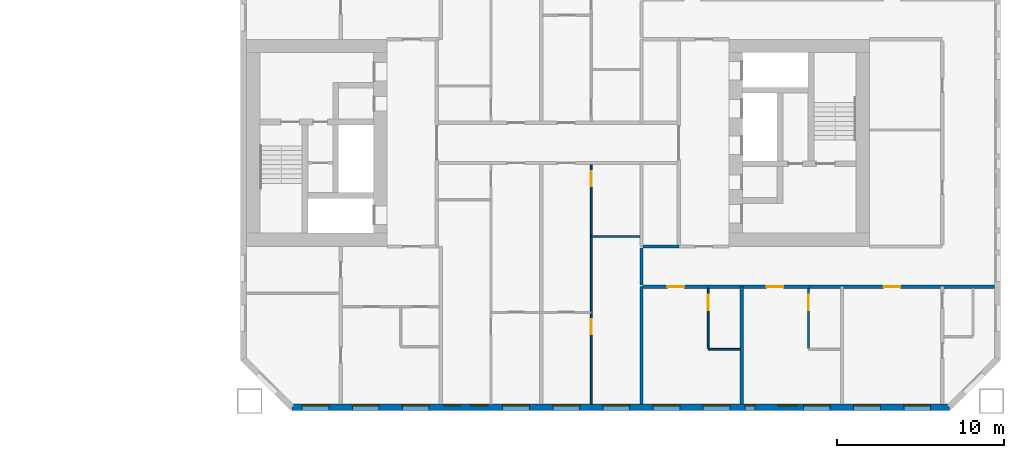
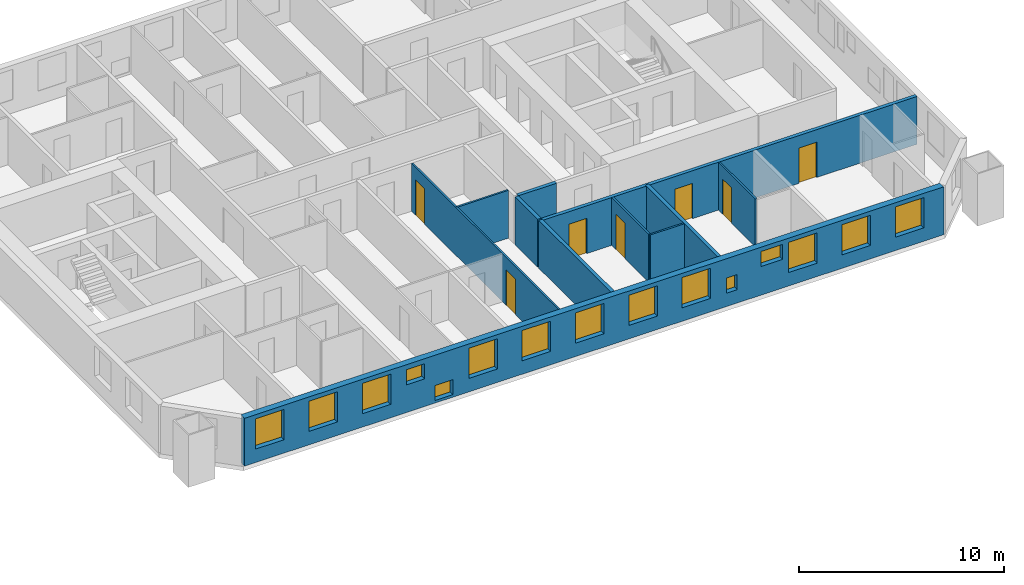
# One storey, part 11 of 17: 15 windows, 11 walls, 7 doors, 22 openings.
"""IFC4 building model written with IfcOpenShell, lengths in metres."""

from ifc_helpers import new_model, si_unit, direction, frame, frame_2d, origin, place, context, subcontext, project, spatial, rectangle, extrude, material, layer, layer_set, type_object, element, fill, save


model = new_model("IFC4")

# Units and contexts
model_context = context("Model", 3, precision=1e-05, world=origin(), true_north=direction((0.0, 1.0)))
body_context = subcontext(model_context, "Body", "Model", "MODEL_VIEW")
ifc_project = project(units=[si_unit("LENGTHUNIT", "METRE"), si_unit("AREAUNIT", "SQUARE_METRE"), si_unit("VOLUMEUNIT", "CUBIC_METRE"), si_unit("PLANEANGLEUNIT", "RADIAN"), si_unit("MASSUNIT", "GRAM", prefix="KILO")], contexts=[model_context])

# Site, building, storey
site_placement = place(None, origin())
site = spatial("IfcSite", under=ifc_project, at=site_placement, CompositionType="ELEMENT")
building_placement = place(site_placement, origin())
building = spatial("IfcBuilding", under=site, at=building_placement, Name="Tuart Gate Housing", CompositionType="ELEMENT")
storey_placement = place(building_placement, frame((0.0, 0.0, 53.60009765625)))
storey = spatial("IfcBuildingStorey", under=building, at=storey_placement, Name="L14", CompositionType="ELEMENT", Elevation=53.60009765625)

# Wall, openings, windows
ifc_material_1 = material(Name="Brick", Category="masonry")
ifc_layer_1 = layer(ifc_material_1, 0.360107421875)
ifc_layer_set_1 = layer_set([ifc_layer_1], Name="Brick pier and spandrel wall 360")
wall_type_1 = type_object("IfcWallType", Name="Brick pier and spandrel wall 360", PredefinedType="STANDARD", material=ifc_layer_set_1)
wall_1_placement = place(storey_placement, frame((134.07470703125, 54.179931640625, 0.0), z_axis=(0.0, 0.0, 1.0), x_axis=(1.0, 0.0, 0.0)))
wall_1 = element("IfcWall", 1, at=wall_1_placement, inside=storey, type_object=wall_type_1, Name="External wall B-S L14", PredefinedType="STANDARD", context=body_context, shape_type="SweptSolid", body=[
    extrude(rectangle(XDim=39.350830078125, YDim=0.360107421875, at=frame_2d((19.67529296875, 0.0))), origin(), (0.0, 0.0, 1.0), 2.849853515625),
])
opening_1_placement = place(wall_1_placement, frame((0.62548828125, 0.0, 0.800048828125)))
opening_1 = element("IfcOpeningElement", 2, at=opening_1_placement, cuts=wall_1, Name="Opening W1", PredefinedType="OPENING", context=body_context, shape_type="SweptSolid", body=[
    extrude(rectangle(XDim=1.60009765625, YDim=1.800048828125, at=frame_2d((0.800048828125, 0.89990234375))), frame((0.0, 0.18994140625, 0.0), z_axis=(0.0, -1.0, 0.0), x_axis=(1.0, 0.0, 0.0)), (0.0, 0.0, 1.0), 0.380126953125),
])
opening_2_placement = place(wall_1_placement, frame((3.62548828125, 0.0, 0.800048828125)))
opening_2 = element("IfcOpeningElement", 3, at=opening_2_placement, cuts=wall_1, Name="Opening W1", PredefinedType="OPENING", context=body_context, shape_type="SweptSolid", body=[
    extrude(rectangle(XDim=1.60009765625, YDim=1.800048828125, at=frame_2d((0.800048828125, 0.89990234375))), frame((0.0, 0.18994140625, 0.0), z_axis=(0.0, -1.0, 0.0), x_axis=(1.0, 0.0, 0.0)), (0.0, 0.0, 1.0), 0.380126953125),
])
opening_3_placement = place(wall_1_placement, frame((6.62548828125, 0.0, 0.800048828125)))
opening_3 = element("IfcOpeningElement", 4, at=opening_3_placement, cuts=wall_1, Name="Opening W1", PredefinedType="OPENING", context=body_context, shape_type="SweptSolid", body=[
    extrude(rectangle(XDim=1.60009765625, YDim=1.800048828125, at=frame_2d((0.800048828125, 0.89990234375))), frame((0.0, 0.18994140625, 0.0), z_axis=(0.0, -1.0, 0.0), x_axis=(1.0, 0.0, 0.0)), (0.0, 0.0, 1.0), 0.380126953125),
])
opening_4_placement = place(wall_1_placement, frame((9.12548828125, 0.0, 1.64990234375)))
opening_4 = element("IfcOpeningElement", 5, at=opening_4_placement, cuts=wall_1, Name="Opening W1U", PredefinedType="OPENING", context=body_context, shape_type="SweptSolid", body=[
    extrude(rectangle(XDim=1.0, YDim=0.89990234375, at=frame_2d((0.5, 0.449951171875))), frame((0.0, 0.18994140625, 0.0), z_axis=(0.0, -1.0, 0.0), x_axis=(1.0, 0.0, 0.0)), (0.0, 0.0, 1.0), 0.380126953125),
])
opening_5_placement = place(wall_1_placement, frame((12.62548828125, 0.0, 0.800048828125)))
opening_5 = element("IfcOpeningElement", 6, at=opening_5_placement, cuts=wall_1, Name="Opening W1", PredefinedType="OPENING", context=body_context, shape_type="SweptSolid", body=[
    extrude(rectangle(XDim=1.60009765625, YDim=1.800048828125, at=frame_2d((0.800048828125, 0.89990234375))), frame((0.0, 0.18994140625, 0.0), z_axis=(0.0, -1.0, 0.0), x_axis=(1.0, 0.0, 0.0)), (0.0, 0.0, 1.0), 0.380126953125),
])
opening_6_placement = place(wall_1_placement, frame((15.62548828125, 0.0, 0.800048828125)))
opening_6 = element("IfcOpeningElement", 7, at=opening_6_placement, cuts=wall_1, Name="Opening W1", PredefinedType="OPENING", context=body_context, shape_type="SweptSolid", body=[
    extrude(rectangle(XDim=1.60009765625, YDim=1.800048828125, at=frame_2d((0.800048828125, 0.89990234375))), frame((0.0, 0.18994140625, 0.0), z_axis=(0.0, -1.0, 0.0), x_axis=(1.0, 0.0, 0.0)), (0.0, 0.0, 1.0), 0.380126953125),
])
opening_7_placement = place(wall_1_placement, frame((18.62548828125, 0.0, 0.800048828125)))
opening_7 = element("IfcOpeningElement", 8, at=opening_7_placement, cuts=wall_1, Name="Opening W1", PredefinedType="OPENING", context=body_context, shape_type="SweptSolid", body=[
    extrude(rectangle(XDim=1.60009765625, YDim=1.800048828125, at=frame_2d((0.800048828125, 0.89990234375))), frame((0.0, 0.18994140625, 0.0), z_axis=(0.0, -1.0, 0.0), x_axis=(1.0, 0.0, 0.0)), (0.0, 0.0, 1.0), 0.380126953125),
])
opening_8_placement = place(wall_1_placement, frame((21.62548828125, 0.0, 0.800048828125)))
opening_8 = element("IfcOpeningElement", 9, at=opening_8_placement, cuts=wall_1, Name="Opening W1", PredefinedType="OPENING", context=body_context, shape_type="SweptSolid", body=[
    extrude(rectangle(XDim=1.60009765625, YDim=1.800048828125, at=frame_2d((0.800048828125, 0.89990234375))), frame((0.0, 0.18994140625, 0.0), z_axis=(0.0, -1.0, 0.0), x_axis=(1.0, 0.0, 0.0)), (0.0, 0.0, 1.0), 0.380126953125),
])
opening_9_placement = place(wall_1_placement, frame((24.62548828125, 0.0, 0.800048828125)))
opening_9 = element("IfcOpeningElement", 10, at=opening_9_placement, cuts=wall_1, Name="Opening W1", PredefinedType="OPENING", context=body_context, shape_type="SweptSolid", body=[
    extrude(rectangle(XDim=1.60009765625, YDim=1.800048828125, at=frame_2d((0.800048828125, 0.89990234375))), frame((0.0, 0.18994140625, 0.0), z_axis=(0.0, -1.0, 0.0), x_axis=(1.0, 0.0, 0.0)), (0.0, 0.0, 1.0), 0.380126953125),
])
opening_10_placement = place(wall_1_placement, frame((27.12548828125, 0.0, 0.800048828125)))
opening_10 = element("IfcOpeningElement", 11, at=opening_10_placement, cuts=wall_1, Name="Opening W1W", PredefinedType="OPENING", context=body_context, shape_type="SweptSolid", body=[
    extrude(rectangle(XDim=0.60009765625, YDim=0.89990234375, at=frame_2d((0.300048828125, 0.449951171875))), frame((0.0, 0.18994140625, 0.0), z_axis=(0.0, -1.0, 0.0), x_axis=(1.0, 0.0, 0.0)), (0.0, 0.0, 1.0), 0.380126953125),
])
opening_11_placement = place(wall_1_placement, frame((30.62548828125, 0.0, 0.800048828125)))
opening_11 = element("IfcOpeningElement", 12, at=opening_11_placement, cuts=wall_1, Name="Opening W1", PredefinedType="OPENING", context=body_context, shape_type="SweptSolid", body=[
    extrude(rectangle(XDim=1.60009765625, YDim=1.800048828125, at=frame_2d((0.800048828125, 0.89990234375))), frame((0.0, 0.18994140625, 0.0), z_axis=(0.0, -1.0, 0.0), x_axis=(1.0, 0.0, 0.0)), (0.0, 0.0, 1.0), 0.380126953125),
])
opening_12_placement = place(wall_1_placement, frame((33.62548828125, 0.0, 0.800048828125)))
opening_12 = element("IfcOpeningElement", 13, at=opening_12_placement, cuts=wall_1, Name="Opening W1", PredefinedType="OPENING", context=body_context, shape_type="SweptSolid", body=[
    extrude(rectangle(XDim=1.60009765625, YDim=1.800048828125, at=frame_2d((0.800048828125, 0.89990234375))), frame((0.0, 0.18994140625, 0.0), z_axis=(0.0, -1.0, 0.0), x_axis=(1.0, 0.0, 0.0)), (0.0, 0.0, 1.0), 0.380126953125),
])
opening_13_placement = place(wall_1_placement, frame((36.62548828125, 0.0, 0.800048828125)))
opening_13 = element("IfcOpeningElement", 14, at=opening_13_placement, cuts=wall_1, Name="Opening W1", PredefinedType="OPENING", context=body_context, shape_type="SweptSolid", body=[
    extrude(rectangle(XDim=1.60009765625, YDim=1.800048828125, at=frame_2d((0.800048828125, 0.89990234375))), frame((0.0, 0.18994140625, 0.0), z_axis=(0.0, -1.0, 0.0), x_axis=(1.0, 0.0, 0.0)), (0.0, 0.0, 1.0), 0.380126953125),
])
opening_14_placement = place(wall_1_placement, frame((10.725341796875, 0.0, 0.14990234375)))
opening_14 = element("IfcOpeningElement", 15, at=opening_14_placement, cuts=wall_1, Name="Opening W1U", PredefinedType="OPENING", context=body_context, shape_type="SweptSolid", body=[
    extrude(rectangle(XDim=1.0, YDim=0.89990234375, at=frame_2d((0.5, 0.449951171875))), frame((0.0, 0.18994140625, 0.0), z_axis=(0.0, -1.0, 0.0), x_axis=(1.0, 0.0, 0.0)), (0.0, 0.0, 1.0), 0.380126953125),
])
opening_15_placement = place(wall_1_placement, frame((29.075439453125, 0.0, 1.699951171875)))
opening_15 = element("IfcOpeningElement", 16, at=opening_15_placement, cuts=wall_1, Name="Opening W1T", PredefinedType="OPENING", context=body_context, shape_type="SweptSolid", body=[
    extrude(rectangle(XDim=1.199951171875, YDim=0.89990234375, at=frame_2d((0.60009765625, 0.449951171875))), frame((0.0, 0.18994140625, 0.0), z_axis=(0.0, -1.0, 0.0), x_axis=(1.0, 0.0, 0.0)), (0.0, 0.0, 1.0), 0.380126953125),
])
ifc_material_2 = material(Name="Aluminium frame with clear glass", Category="aluminium")
window_type_1 = type_object("IfcWindowType", Name="Punched window 1000 x 900", PartitioningType="SINGLE_PANEL", PredefinedType="WINDOW", material=ifc_material_2)
window_1_placement = place(opening_4_placement, origin())
window_1 = element("IfcWindow", 17, at=window_1_placement, inside=storey, type_object=window_type_1, Name="Window W1U", OverallHeight=0.89990234375, OverallWidth=1.0, PartitioningType="SINGLE_PANEL", PredefinedType="WINDOW", context=body_context, shape_type="SweptSolid", body=[
    extrude(rectangle(XDim=1.0, YDim=0.89990234375, at=frame_2d((0.5, 0.449951171875))), frame((0.0, 0.150146484375, 0.0), z_axis=(0.0, -1.0, 0.0), x_axis=(1.0, 0.0, 0.0)), (0.0, 0.0, 1.0), 0.06005859375),
])
fill(opening_4, window_1)
window_2_placement = place(opening_14_placement, origin())
window_2 = element("IfcWindow", 18, at=window_2_placement, inside=storey, type_object=window_type_1, Name="Window W1U", OverallHeight=0.89990234375, OverallWidth=1.0, PartitioningType="SINGLE_PANEL", PredefinedType="WINDOW", context=body_context, shape_type="SweptSolid", body=[
    extrude(rectangle(XDim=1.0, YDim=0.89990234375, at=frame_2d((0.5, 0.449951171875))), frame((0.0, 0.150146484375, 0.0), z_axis=(0.0, -1.0, 0.0), x_axis=(1.0, 0.0, 0.0)), (0.0, 0.0, 1.0), 0.06005859375),
])
fill(opening_14, window_2)
ifc_material_3 = material(Name="Aluminium frame with clear glass", Category="aluminium")
window_type_2 = type_object("IfcWindowType", Name="Punched window 1200 x 900", PartitioningType="SINGLE_PANEL", PredefinedType="WINDOW", material=ifc_material_3)
window_3_placement = place(opening_15_placement, origin())
window_3 = element("IfcWindow", 19, at=window_3_placement, inside=storey, type_object=window_type_2, Name="Window W1T", OverallHeight=0.89990234375, OverallWidth=1.199951171875, PartitioningType="SINGLE_PANEL", PredefinedType="WINDOW", context=body_context, shape_type="SweptSolid", body=[
    extrude(rectangle(XDim=1.199951171875, YDim=0.89990234375, at=frame_2d((0.60009765625, 0.449951171875))), frame((0.0, 0.150146484375, 0.0), z_axis=(0.0, -1.0, 0.0), x_axis=(1.0, 0.0, 0.0)), (0.0, 0.0, 1.0), 0.06005859375),
])
fill(opening_15, window_3)
ifc_material_4 = material(Name="Aluminium frame with clear glass", Category="aluminium")
window_type_3 = type_object("IfcWindowType", Name="Punched window 1600 x 1800", PartitioningType="SINGLE_PANEL", PredefinedType="WINDOW", material=ifc_material_4)
window_4_placement = place(opening_1_placement, origin())
window_4 = element("IfcWindow", 20, at=window_4_placement, inside=storey, type_object=window_type_3, Name="Window W1", OverallHeight=1.800048828125, OverallWidth=1.60009765625, PartitioningType="SINGLE_PANEL", PredefinedType="WINDOW", context=body_context, shape_type="SweptSolid", body=[
    extrude(rectangle(XDim=1.60009765625, YDim=1.800048828125, at=frame_2d((0.800048828125, 0.89990234375))), frame((0.0, 0.150146484375, 0.0), z_axis=(0.0, -1.0, 0.0), x_axis=(1.0, 0.0, 0.0)), (0.0, 0.0, 1.0), 0.06005859375),
])
fill(opening_1, window_4)
window_5_placement = place(opening_2_placement, origin())
window_5 = element("IfcWindow", 21, at=window_5_placement, inside=storey, type_object=window_type_3, Name="Window W1", OverallHeight=1.800048828125, OverallWidth=1.60009765625, PartitioningType="SINGLE_PANEL", PredefinedType="WINDOW", context=body_context, shape_type="SweptSolid", body=[
    extrude(rectangle(XDim=1.60009765625, YDim=1.800048828125, at=frame_2d((0.800048828125, 0.89990234375))), frame((0.0, 0.150146484375, 0.0), z_axis=(0.0, -1.0, 0.0), x_axis=(1.0, 0.0, 0.0)), (0.0, 0.0, 1.0), 0.06005859375),
])
fill(opening_2, window_5)
window_6_placement = place(opening_3_placement, origin())
window_6 = element("IfcWindow", 22, at=window_6_placement, inside=storey, type_object=window_type_3, Name="Window W1", OverallHeight=1.800048828125, OverallWidth=1.60009765625, PartitioningType="SINGLE_PANEL", PredefinedType="WINDOW", context=body_context, shape_type="SweptSolid", body=[
    extrude(rectangle(XDim=1.60009765625, YDim=1.800048828125, at=frame_2d((0.800048828125, 0.89990234375))), frame((0.0, 0.150146484375, 0.0), z_axis=(0.0, -1.0, 0.0), x_axis=(1.0, 0.0, 0.0)), (0.0, 0.0, 1.0), 0.06005859375),
])
fill(opening_3, window_6)
window_7_placement = place(opening_5_placement, origin())
window_7 = element("IfcWindow", 23, at=window_7_placement, inside=storey, type_object=window_type_3, Name="Window W1", OverallHeight=1.800048828125, OverallWidth=1.60009765625, PartitioningType="SINGLE_PANEL", PredefinedType="WINDOW", context=body_context, shape_type="SweptSolid", body=[
    extrude(rectangle(XDim=1.60009765625, YDim=1.800048828125, at=frame_2d((0.800048828125, 0.89990234375))), frame((0.0, 0.150146484375, 0.0), z_axis=(0.0, -1.0, 0.0), x_axis=(1.0, 0.0, 0.0)), (0.0, 0.0, 1.0), 0.06005859375),
])
fill(opening_5, window_7)
window_8_placement = place(opening_6_placement, origin())
window_8 = element("IfcWindow", 24, at=window_8_placement, inside=storey, type_object=window_type_3, Name="Window W1", OverallHeight=1.800048828125, OverallWidth=1.60009765625, PartitioningType="SINGLE_PANEL", PredefinedType="WINDOW", context=body_context, shape_type="SweptSolid", body=[
    extrude(rectangle(XDim=1.60009765625, YDim=1.800048828125, at=frame_2d((0.800048828125, 0.89990234375))), frame((0.0, 0.150146484375, 0.0), z_axis=(0.0, -1.0, 0.0), x_axis=(1.0, 0.0, 0.0)), (0.0, 0.0, 1.0), 0.06005859375),
])
fill(opening_6, window_8)
window_9_placement = place(opening_7_placement, origin())
window_9 = element("IfcWindow", 25, at=window_9_placement, inside=storey, type_object=window_type_3, Name="Window W1", OverallHeight=1.800048828125, OverallWidth=1.60009765625, PartitioningType="SINGLE_PANEL", PredefinedType="WINDOW", context=body_context, shape_type="SweptSolid", body=[
    extrude(rectangle(XDim=1.60009765625, YDim=1.800048828125, at=frame_2d((0.800048828125, 0.89990234375))), frame((0.0, 0.150146484375, 0.0), z_axis=(0.0, -1.0, 0.0), x_axis=(1.0, 0.0, 0.0)), (0.0, 0.0, 1.0), 0.06005859375),
])
fill(opening_7, window_9)
window_10_placement = place(opening_8_placement, origin())
window_10 = element("IfcWindow", 26, at=window_10_placement, inside=storey, type_object=window_type_3, Name="Window W1", OverallHeight=1.800048828125, OverallWidth=1.60009765625, PartitioningType="SINGLE_PANEL", PredefinedType="WINDOW", context=body_context, shape_type="SweptSolid", body=[
    extrude(rectangle(XDim=1.60009765625, YDim=1.800048828125, at=frame_2d((0.800048828125, 0.89990234375))), frame((0.0, 0.150146484375, 0.0), z_axis=(0.0, -1.0, 0.0), x_axis=(1.0, 0.0, 0.0)), (0.0, 0.0, 1.0), 0.06005859375),
])
fill(opening_8, window_10)
window_11_placement = place(opening_9_placement, origin())
window_11 = element("IfcWindow", 27, at=window_11_placement, inside=storey, type_object=window_type_3, Name="Window W1", OverallHeight=1.800048828125, OverallWidth=1.60009765625, PartitioningType="SINGLE_PANEL", PredefinedType="WINDOW", context=body_context, shape_type="SweptSolid", body=[
    extrude(rectangle(XDim=1.60009765625, YDim=1.800048828125, at=frame_2d((0.800048828125, 0.89990234375))), frame((0.0, 0.150146484375, 0.0), z_axis=(0.0, -1.0, 0.0), x_axis=(1.0, 0.0, 0.0)), (0.0, 0.0, 1.0), 0.06005859375),
])
fill(opening_9, window_11)
window_12_placement = place(opening_11_placement, origin())
window_12 = element("IfcWindow", 28, at=window_12_placement, inside=storey, type_object=window_type_3, Name="Window W1", OverallHeight=1.800048828125, OverallWidth=1.60009765625, PartitioningType="SINGLE_PANEL", PredefinedType="WINDOW", context=body_context, shape_type="SweptSolid", body=[
    extrude(rectangle(XDim=1.60009765625, YDim=1.800048828125, at=frame_2d((0.800048828125, 0.89990234375))), frame((0.0, 0.150146484375, 0.0), z_axis=(0.0, -1.0, 0.0), x_axis=(1.0, 0.0, 0.0)), (0.0, 0.0, 1.0), 0.06005859375),
])
fill(opening_11, window_12)
window_13_placement = place(opening_12_placement, origin())
window_13 = element("IfcWindow", 29, at=window_13_placement, inside=storey, type_object=window_type_3, Name="Window W1", OverallHeight=1.800048828125, OverallWidth=1.60009765625, PartitioningType="SINGLE_PANEL", PredefinedType="WINDOW", context=body_context, shape_type="SweptSolid", body=[
    extrude(rectangle(XDim=1.60009765625, YDim=1.800048828125, at=frame_2d((0.800048828125, 0.89990234375))), frame((0.0, 0.150146484375, 0.0), z_axis=(0.0, -1.0, 0.0), x_axis=(1.0, 0.0, 0.0)), (0.0, 0.0, 1.0), 0.06005859375),
])
fill(opening_12, window_13)
window_14_placement = place(opening_13_placement, origin())
window_14 = element("IfcWindow", 30, at=window_14_placement, inside=storey, type_object=window_type_3, Name="Window W1", OverallHeight=1.800048828125, OverallWidth=1.60009765625, PartitioningType="SINGLE_PANEL", PredefinedType="WINDOW", context=body_context, shape_type="SweptSolid", body=[
    extrude(rectangle(XDim=1.60009765625, YDim=1.800048828125, at=frame_2d((0.800048828125, 0.89990234375))), frame((0.0, 0.150146484375, 0.0), z_axis=(0.0, -1.0, 0.0), x_axis=(1.0, 0.0, 0.0)), (0.0, 0.0, 1.0), 0.06005859375),
])
fill(opening_13, window_14)
ifc_material_5 = material(Name="Aluminium frame with clear glass", Category="aluminium")
window_type_4 = type_object("IfcWindowType", Name="Punched window 600 x 900", PartitioningType="SINGLE_PANEL", PredefinedType="WINDOW", material=ifc_material_5)
window_15_placement = place(opening_10_placement, origin())
window_15 = element("IfcWindow", 31, at=window_15_placement, inside=storey, type_object=window_type_4, Name="Window W1W", OverallHeight=0.89990234375, OverallWidth=0.60009765625, PartitioningType="SINGLE_PANEL", PredefinedType="WINDOW", context=body_context, shape_type="SweptSolid", body=[
    extrude(rectangle(XDim=0.60009765625, YDim=0.89990234375, at=frame_2d((0.300048828125, 0.449951171875))), frame((0.0, 0.150146484375, 0.0), z_axis=(0.0, -1.0, 0.0), x_axis=(1.0, 0.0, 0.0)), (0.0, 0.0, 1.0), 0.06005859375),
])
fill(opening_10, window_15)

# Wall, openings, doors
ifc_material_6 = material(Name="Concrete masonry 15 MPa", Category="masonry")
ifc_layer_2 = layer(ifc_material_6, 0.199951171875)
ifc_layer_set_2 = layer_set([ifc_layer_2], Name="Corridor wall masonry 200")
wall_type_2 = type_object("IfcWallType", Name="Corridor wall masonry 200", PredefinedType="PARTITIONING", material=ifc_layer_set_2)
wall_2_placement = place(storey_placement, frame((155.10009765625, 61.39990234375, 0.0), z_axis=(0.0, 0.0, 1.0), x_axis=(1.0, 0.0, 0.0)))
wall_2 = element("IfcWall", 32, at=wall_2_placement, inside=storey, type_object=wall_type_2, Name="Corridor wall masonry 200", PredefinedType="PARTITIONING", context=body_context, shape_type="SweptSolid", body=[
    extrude(rectangle(XDim=21.039794921875, YDim=0.199951171875, at=frame_2d((10.52001953125, 0.0))), origin(), (0.0, 0.0, 1.0), 2.849853515625),
])
opening_16_placement = place(wall_2_placement, frame((1.449951171875, 0.0, 0.0)))
opening_16 = element("IfcOpeningElement", 33, at=opening_16_placement, cuts=wall_2, Name="Opening D820", PredefinedType="OPENING", context=body_context, shape_type="SweptSolid", body=[
    extrude(rectangle(XDim=1.0, YDim=2.10009765625, at=frame_2d((0.5, 1.050048828125))), frame((0.0, 0.10986328125, 0.0), z_axis=(0.0, -1.0, 0.0), x_axis=(1.0, 0.0, 0.0)), (0.0, 0.0, 1.0), 0.219970703125),
])
opening_17_placement = place(wall_2_placement, frame((7.39990234375, 0.0, 0.0)))
opening_17 = element("IfcOpeningElement", 34, at=opening_17_placement, cuts=wall_2, Name="Opening D821", PredefinedType="OPENING", context=body_context, shape_type="SweptSolid", body=[
    extrude(rectangle(XDim=1.0, YDim=2.10009765625, at=frame_2d((0.5, 1.050048828125))), frame((0.0, 0.10986328125, 0.0), z_axis=(0.0, -1.0, 0.0), x_axis=(1.0, 0.0, 0.0)), (0.0, 0.0, 1.0), 0.219970703125),
])
opening_18_placement = place(wall_2_placement, frame((14.39990234375, 0.0, 0.0)))
opening_18 = element("IfcOpeningElement", 35, at=opening_18_placement, cuts=wall_2, Name="Opening D822", PredefinedType="OPENING", context=body_context, shape_type="SweptSolid", body=[
    extrude(rectangle(XDim=1.0, YDim=2.10009765625, at=frame_2d((0.5, 1.050048828125))), frame((0.0, 0.10986328125, 0.0), z_axis=(0.0, -1.0, 0.0), x_axis=(1.0, 0.0, 0.0)), (0.0, 0.0, 1.0), 0.219970703125),
])
ifc_material_7 = material(Name="Timber door leaf in steel frame", Category="steel")
door_type_1 = type_object("IfcDoorType", Name="Flat entrance door 1000", OperationType="SINGLE_SWING_LEFT", PredefinedType="DOOR", material=ifc_material_7)
door_1_placement = place(opening_16_placement, frame((1.0, 0.0, 0.0), z_axis=(0.0, 0.0, 1.0), x_axis=(-1.0, 0.0, 0.0)))
door_1 = element("IfcDoor", 36, at=door_1_placement, inside=storey, type_object=door_type_1, Name="Flat entrance door", OperationType="SINGLE_SWING_LEFT", OverallHeight=2.10009765625, OverallWidth=1.0, PredefinedType="DOOR", context=body_context, shape_type="SweptSolid", body=[
    extrude(rectangle(XDim=1.0, YDim=2.10009765625, at=frame_2d((0.5, 1.050048828125))), frame((0.0, 0.025146484375, 0.0), z_axis=(0.0, -1.0, 0.0), x_axis=(1.0, 0.0, 0.0)), (0.0, 0.0, 1.0), 0.050048828125),
])
fill(opening_16, door_1)
ifc_material_8 = material(Name="Timber door leaf in steel frame", Category="steel")
door_type_2 = type_object("IfcDoorType", Name="Flat entrance door 1000 RH", OperationType="SINGLE_SWING_RIGHT", PredefinedType="DOOR", material=ifc_material_8)
door_2_placement = place(opening_17_placement, frame((1.0, 0.0, 0.0), z_axis=(0.0, 0.0, 1.0), x_axis=(-1.0, 0.0, 0.0)))
door_2 = element("IfcDoor", 37, at=door_2_placement, inside=storey, type_object=door_type_2, Name="Flat entrance door", OperationType="SINGLE_SWING_RIGHT", OverallHeight=2.10009765625, OverallWidth=1.0, PredefinedType="DOOR", context=body_context, shape_type="SweptSolid", body=[
    extrude(rectangle(XDim=1.0, YDim=2.10009765625, at=frame_2d((0.5, 1.050048828125))), frame((0.0, 0.025146484375, 0.0), z_axis=(0.0, -1.0, 0.0), x_axis=(1.0, 0.0, 0.0)), (0.0, 0.0, 1.0), 0.050048828125),
])
fill(opening_17, door_2)
door_3_placement = place(opening_18_placement, frame((1.0, 0.0, 0.0), z_axis=(0.0, 0.0, 1.0), x_axis=(-1.0, 0.0, 0.0)))
door_3 = element("IfcDoor", 38, at=door_3_placement, inside=storey, type_object=door_type_2, Name="Flat entrance door", OperationType="SINGLE_SWING_RIGHT", OverallHeight=2.10009765625, OverallWidth=1.0, PredefinedType="DOOR", context=body_context, shape_type="SweptSolid", body=[
    extrude(rectangle(XDim=1.0, YDim=2.10009765625, at=frame_2d((0.5, 1.050048828125))), frame((0.0, 0.025146484375, 0.0), z_axis=(0.0, -1.0, 0.0), x_axis=(1.0, 0.0, 0.0)), (0.0, 0.0, 1.0), 0.050048828125),
])
fill(opening_18, door_3)

# Walls
wall_3_placement = place(storey_placement, frame((155.10009765625, 63.800048828125, 0.0), z_axis=(0.0, 0.0, 1.0), x_axis=(1.0, 0.0, 0.0)))
element("IfcWall", 39, at=wall_3_placement, inside=storey, type_object=wall_type_2, Name="Corridor wall masonry 200", PredefinedType="PARTITIONING", context=body_context, shape_type="SweptSolid", body=[
    extrude(rectangle(XDim=2.139892578125, YDim=0.199951171875, at=frame_2d((1.06982421875, 0.0))), origin(), (0.0, 0.0, 1.0), 2.849853515625),
])
wall_4_placement = place(storey_placement, frame((155.0, 61.5, 0.0), z_axis=(0.0, 0.0, 1.0), x_axis=(0.0, 1.0, 0.0)))
element("IfcWall", 40, at=wall_4_placement, inside=storey, type_object=wall_type_2, Name="Corridor wall masonry 200", PredefinedType="PARTITIONING", context=body_context, shape_type="SweptSolid", body=[
    extrude(rectangle(XDim=2.199951171875, YDim=0.199951171875, at=frame_2d((1.10009765625, 0.0))), origin(), (0.0, 0.0, 1.0), 2.849853515625),
])
ifc_material_9 = material(Name="Gypsum board on steel studs", Category="steel")
ifc_layer_3 = layer(ifc_material_9, 0.10009765625)
ifc_layer_set_3 = layer_set([ifc_layer_3], Name="Partition 100")
wall_type_3 = type_object("IfcWallType", Name="Partition 100", PredefinedType="PARTITIONING", material=ifc_layer_set_3)
wall_5_placement = place(storey_placement, frame((159.0, 57.64990234375, 0.0), z_axis=(0.0, 0.0, 1.0), x_axis=(1.0, 0.0, 0.0)))
element("IfcWall", 41, at=wall_5_placement, inside=storey, type_object=wall_type_3, Name="Partition 100", PredefinedType="PARTITIONING", context=body_context, shape_type="SweptSolid", body=[
    extrude(rectangle(XDim=1.89990234375, YDim=0.10009765625, at=frame_2d((0.949951171875, 0.0))), origin(), (0.0, 0.0, 1.0), 2.849853515625),
])
wall_6_placement = place(storey_placement, frame((152.0, 64.39990234375, 0.0), z_axis=(0.0, 0.0, 1.0), x_axis=(1.0, 0.0, 0.0)))
element("IfcWall", 42, at=wall_6_placement, inside=storey, type_object=wall_type_3, Name="Partition 100", PredefinedType="PARTITIONING", context=body_context, shape_type="SweptSolid", body=[
    extrude(rectangle(XDim=2.89990234375, YDim=0.10009765625, at=frame_2d((1.449951171875, 0.0))), origin(), (0.0, 0.0, 1.0), 2.849853515625),
])

# Wall, openings, doors
wall_7_placement = place(storey_placement, frame((152.0, 54.360107421875, 0.0), z_axis=(0.0, 0.0, 1.0), x_axis=(0.0, 1.0, 0.0)))
wall_7 = element("IfcWall", 43, at=wall_7_placement, inside=storey, type_object=wall_type_3, Name="Partition 100", PredefinedType="PARTITIONING", context=body_context, shape_type="SweptSolid", body=[
    extrude(rectangle(XDim=14.33984375, YDim=0.10009765625, at=frame_2d((7.169921875, 0.0))), origin(), (0.0, 0.0, 1.0), 2.849853515625),
])
opening_19_placement = place(wall_7_placement, frame((4.199951171875, 0.0, 0.0)))
opening_19 = element("IfcOpeningElement", 44, at=opening_19_placement, cuts=wall_7, Name="Opening D819", PredefinedType="OPENING", context=body_context, shape_type="SweptSolid", body=[
    extrude(rectangle(XDim=0.89990234375, YDim=2.10009765625, at=frame_2d((0.449951171875, 1.050048828125))), frame((0.0, 0.06005859375, 0.0), z_axis=(0.0, -1.0, 0.0), x_axis=(1.0, 0.0, 0.0)), (0.0, 0.0, 1.0), 0.1201171875),
])
opening_20_placement = place(wall_7_placement, frame((13.0400390625, 0.0, 0.0)))
opening_20 = element("IfcOpeningElement", 45, at=opening_20_placement, cuts=wall_7, Name="Opening D818", PredefinedType="OPENING", context=body_context, shape_type="SweptSolid", body=[
    extrude(rectangle(XDim=0.89990234375, YDim=2.10009765625, at=frame_2d((0.449951171875, 1.050048828125))), frame((0.0, 0.06005859375, 0.0), z_axis=(0.0, -1.0, 0.0), x_axis=(1.0, 0.0, 0.0)), (0.0, 0.0, 1.0), 0.1201171875),
])
ifc_material_10 = material(Name="Timber door leaf in steel frame", Category="steel")
door_type_3 = type_object("IfcDoorType", Name="Bathroom door 900", OperationType="SINGLE_SWING_LEFT", PredefinedType="DOOR", material=ifc_material_10)
door_4_placement = place(opening_20_placement, frame((0.89990234375, 0.0, 0.0), z_axis=(0.0, 0.0, 1.0), x_axis=(-1.0, 0.0, 0.0)))
door_4 = element("IfcDoor", 46, at=door_4_placement, inside=storey, type_object=door_type_3, Name="Bathroom door", OperationType="SINGLE_SWING_LEFT", OverallHeight=2.10009765625, OverallWidth=0.89990234375, PredefinedType="DOOR", context=body_context, shape_type="SweptSolid", body=[
    extrude(rectangle(XDim=0.89990234375, YDim=2.10009765625, at=frame_2d((0.449951171875, 1.050048828125))), frame((0.0, 0.025146484375, 0.0), z_axis=(0.0, -1.0, 0.0), x_axis=(1.0, 0.0, 0.0)), (0.0, 0.0, 1.0), 0.050048828125),
])
fill(opening_20, door_4)
ifc_material_11 = material(Name="Timber door leaf in steel frame", Category="steel")
door_type_4 = type_object("IfcDoorType", Name="Internal door 900 RH", OperationType="SINGLE_SWING_RIGHT", PredefinedType="DOOR", material=ifc_material_11)
door_5_placement = place(opening_19_placement, frame((0.89990234375, 0.0, 0.0), z_axis=(0.0, 0.0, 1.0), x_axis=(-1.0, 0.0, 0.0)))
door_5 = element("IfcDoor", 47, at=door_5_placement, inside=storey, type_object=door_type_4, Name="Internal door", OperationType="SINGLE_SWING_RIGHT", OverallHeight=2.10009765625, OverallWidth=0.89990234375, PredefinedType="DOOR", context=body_context, shape_type="SweptSolid", body=[
    extrude(rectangle(XDim=0.89990234375, YDim=2.10009765625, at=frame_2d((0.449951171875, 1.050048828125))), frame((0.0, 0.025146484375, 0.0), z_axis=(0.0, -1.0, 0.0), x_axis=(1.0, 0.0, 0.0)), (0.0, 0.0, 1.0), 0.050048828125),
])
fill(opening_19, door_5)

# Wall, opening, door
wall_8_placement = place(storey_placement, frame((159.0, 57.699951171875, 0.0), z_axis=(0.0, 0.0, 1.0), x_axis=(0.0, 1.0, 0.0)))
wall_8 = element("IfcWall", 48, at=wall_8_placement, inside=storey, type_object=wall_type_3, Name="Partition 100", PredefinedType="PARTITIONING", context=body_context, shape_type="SweptSolid", body=[
    extrude(rectangle(XDim=3.60009765625, YDim=0.10009765625, at=frame_2d((1.800048828125, 0.0))), origin(), (0.0, 0.0, 1.0), 2.849853515625),
])
opening_21_placement = place(wall_8_placement, frame((2.300048828125, 0.0, 0.0)))
opening_21 = element("IfcOpeningElement", 49, at=opening_21_placement, cuts=wall_8, Name="Opening D827", PredefinedType="OPENING", context=body_context, shape_type="SweptSolid", body=[
    extrude(rectangle(XDim=0.89990234375, YDim=2.10009765625, at=frame_2d((0.449951171875, 1.050048828125))), frame((0.0, 0.06005859375, 0.0), z_axis=(0.0, -1.0, 0.0), x_axis=(1.0, 0.0, 0.0)), (0.0, 0.0, 1.0), 0.1201171875),
])
door_6_placement = place(opening_21_placement, frame((0.89990234375, 0.0, 0.0), z_axis=(0.0, 0.0, 1.0), x_axis=(-1.0, 0.0, 0.0)))
door_6 = element("IfcDoor", 50, at=door_6_placement, inside=storey, type_object=door_type_3, Name="Bathroom door", OperationType="SINGLE_SWING_LEFT", OverallHeight=2.10009765625, OverallWidth=0.89990234375, PredefinedType="DOOR", context=body_context, shape_type="SweptSolid", body=[
    extrude(rectangle(XDim=0.89990234375, YDim=2.10009765625, at=frame_2d((0.449951171875, 1.050048828125))), frame((0.0, 0.025146484375, 0.0), z_axis=(0.0, -1.0, 0.0), x_axis=(1.0, 0.0, 0.0)), (0.0, 0.0, 1.0), 0.050048828125),
])
fill(opening_21, door_6)

wall_9_placement = place(storey_placement, frame((165.0, 57.699951171875, 0.0), z_axis=(0.0, 0.0, 1.0), x_axis=(0.0, 1.0, 0.0)))
wall_9 = element("IfcWall", 51, at=wall_9_placement, inside=storey, type_object=wall_type_3, Name="Partition 100", PredefinedType="PARTITIONING", context=body_context, shape_type="SweptSolid", body=[
    extrude(rectangle(XDim=3.60009765625, YDim=0.10009765625, at=frame_2d((1.800048828125, 0.0))), origin(), (0.0, 0.0, 1.0), 2.849853515625),
])
opening_22_placement = place(wall_9_placement, frame((2.300048828125, 0.0, 0.0)))
opening_22 = element("IfcOpeningElement", 52, at=opening_22_placement, cuts=wall_9, Name="Opening D828", PredefinedType="OPENING", context=body_context, shape_type="SweptSolid", body=[
    extrude(rectangle(XDim=0.89990234375, YDim=2.10009765625, at=frame_2d((0.449951171875, 1.050048828125))), frame((0.0, 0.06005859375, 0.0), z_axis=(0.0, -1.0, 0.0), x_axis=(1.0, 0.0, 0.0)), (0.0, 0.0, 1.0), 0.1201171875),
])
door_7_placement = place(opening_22_placement, frame((0.89990234375, 0.0, 0.0), z_axis=(0.0, 0.0, 1.0), x_axis=(-1.0, 0.0, 0.0)))
door_7 = element("IfcDoor", 53, at=door_7_placement, inside=storey, type_object=door_type_3, Name="Bathroom door", OperationType="SINGLE_SWING_LEFT", OverallHeight=2.10009765625, OverallWidth=0.89990234375, PredefinedType="DOOR", context=body_context, shape_type="SweptSolid", body=[
    extrude(rectangle(XDim=0.89990234375, YDim=2.10009765625, at=frame_2d((0.449951171875, 1.050048828125))), frame((0.0, 0.025146484375, 0.0), z_axis=(0.0, -1.0, 0.0), x_axis=(1.0, 0.0, 0.0)), (0.0, 0.0, 1.0), 0.050048828125),
])
fill(opening_22, door_7)

# Walls
ifc_material_12 = material(Name="Concrete C40", Category="concrete")
ifc_layer_4 = layer(ifc_material_12, 0.199951171875)
ifc_layer_set_4 = layer_set([ifc_layer_4], Name="Party wall concrete C40 200")
wall_type_4 = type_object("IfcWallType", Name="Party wall concrete C40 200", PredefinedType="SOLIDWALL", material=ifc_layer_set_4)
for number, where, z_axis, x_axis, name in (
    (54, (155.0, 54.360107421875, 0.0), (0.0, 0.0, 1.0), (0.0, 1.0, 0.0), "Party wall concrete C40 200"),
    (55, (161.0, 54.360107421875, 0.0), (0.0, 0.0, 1.0), (0.0, 1.0, 0.0), "Party wall concrete C40 200"),
):
    element("IfcWall", number, at=place(storey_placement, frame(where, z_axis=z_axis, x_axis=x_axis)), inside=storey, type_object=wall_type_4, Name=name, PredefinedType="SOLIDWALL", context=body_context, shape_type="SweptSolid", body=[
        extrude(rectangle(XDim=7.039794921875, YDim=0.199951171875, at=frame_2d((3.52001953125, 0.0))), origin(), (0.0, 0.0, 1.0), 2.849853515625),
    ])

save(model, "model.ifc")
